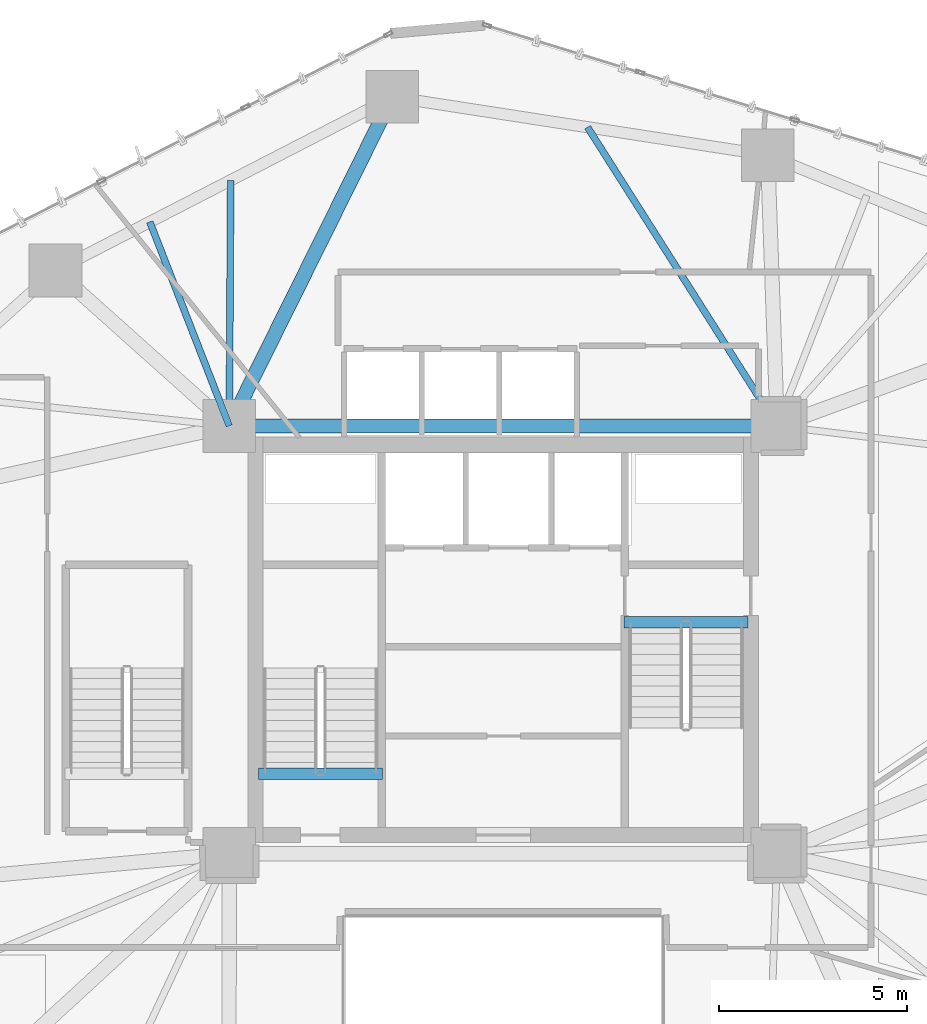
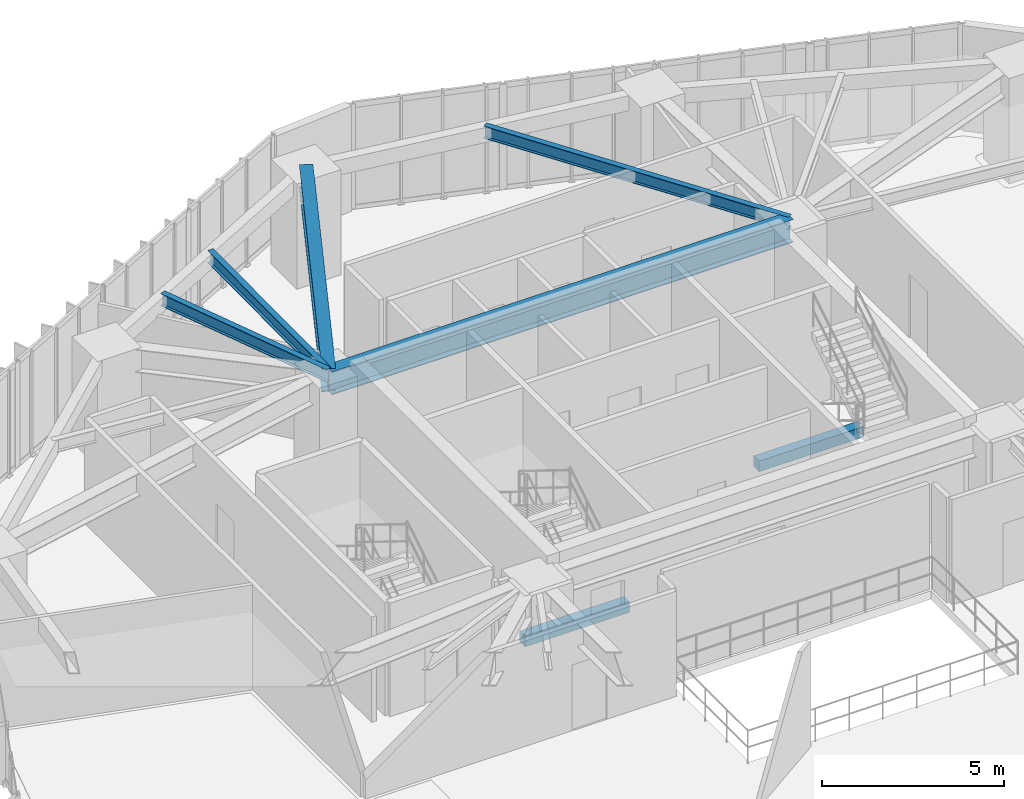
# One storey, part 9 of 24: 7 beams.
"""IFC4 building model written with IfcOpenShell, lengths in metres."""

from ifc_helpers import new_model, si_unit, direction, frame, origin, origin_2d, place, context, subcontext, project, spatial, rectangle, i_section, extrude, material, material_profile, profile_set, type_object, element, save


model = new_model("IFC4")

# Units and contexts
model_context = context("Model", 3, precision=1e-05, world=origin(), true_north=direction((0.0, 1.0)))
body_context = subcontext(model_context, "Body", "Model", "MODEL_VIEW")
ifc_project = project(units=[si_unit("LENGTHUNIT", "METRE"), si_unit("AREAUNIT", "SQUARE_METRE"), si_unit("VOLUMEUNIT", "CUBIC_METRE"), si_unit("PLANEANGLEUNIT", "RADIAN"), si_unit("MASSUNIT", "GRAM", prefix="KILO")], contexts=[model_context])

# Site, building, storey
site_placement = place(None, origin())
site = spatial("IfcSite", under=ifc_project, at=site_placement, CompositionType="ELEMENT")
building_placement = place(site_placement, origin())
building = spatial("IfcBuilding", under=site, at=building_placement, Name="Talar Marvaseh", CompositionType="ELEMENT")
storey_placement = place(building_placement, frame((0.0, 0.0, 39.199951171875)))
storey = spatial("IfcBuildingStorey", under=building, at=storey_placement, Name="L09", CompositionType="ELEMENT", Elevation=39.199951171875)

# Beams
ifc_material_1 = material(Name="Concrete C40/50", Category="concrete")
ifc_material_profile_1 = material_profile(ifc_material_1, rectangle(XDim=0.300048828125, YDim=0.360107421875, at=origin_2d()), Name="RC300x360")
ifc_profile_set_1 = profile_set([ifc_material_profile_1], Name="Concrete C40/50")
beam_type_1 = type_object("IfcBeamType", Name="Concrete Stair Landing Trimmer Beam RC300x360", PredefinedType="SPANDREL", material=ifc_profile_set_1)
for number, where, z_axis, x_axis, name in (
    (1, (22.780029296875, 27.6298828125, -0.179931640625), (-1.0, 0.0, 0.0), (0.0, -1.0, 0.0), "L09 ST-1 Stair Nosing Trimmer Beam"),
    (2, (29.219970703125, 31.669921875, -0.179931640625), (1.0, 0.0, 0.0), (0.0, 1.0, 0.0), "L09 ST-2 Stair Nosing Trimmer Beam"),
):
    element("IfcBeam", number, at=place(storey_placement, frame(where, z_axis=z_axis, x_axis=x_axis)), inside=storey, type_object=beam_type_1, Name=name, PredefinedType="SPANDREL", context=body_context, shape_type="SweptSolid", body=[
        extrude(rectangle(XDim=0.300048828125, YDim=0.360107421875, at=origin_2d()), origin(), (0.0, 0.0, 1.0), 3.300048828125),
    ])
ifc_material_2 = material(Name="Steel S355", Category="steel")
ifc_material_profile_2 = material_profile(ifc_material_2, i_section(OverallWidth=0.381103515625, OverallDepth=0.77294921875, WebThickness=0.0166015625, FlangeThickness=0.027099609375, at=origin_2d()), Name="W760x257")
ifc_profile_set_2 = profile_set([ifc_material_profile_2], Name="Steel S355")
beam_type_2 = type_object("IfcBeamType", Name="Zone 1 Radial Floor Girder W760x257", PredefinedType="BEAM", material=ifc_profile_set_2)
beam_1_placement = place(storey_placement, frame((18.699951171875, 36.89990234375, 3.133544921875), z_axis=(1.0, 0.0, 0.0), x_axis=(0.0, 1.0, 0.0)))
element("IfcBeam", 3, at=beam_1_placement, inside=storey, type_object=beam_type_2, Name="L09 Zone 1 Radial Floor Girder W760x257", PredefinedType="BEAM", context=body_context, shape_type="SweptSolid", body=[
    extrude(i_section(OverallWidth=0.381103515625, OverallDepth=0.77294921875, WebThickness=0.0166015625, FlangeThickness=0.027099609375, at=origin_2d()), origin(), (0.0, 0.0, 1.0), 14.60009765625),
])
beam_2_placement = place(storey_placement, frame((23.047119140625, 45.6669921875, 3.133544921875), z_axis=(-0.444237233911, -0.895909191831, 0.0), x_axis=(0.895909191831, -0.444237233911, 0.0)))
element("IfcBeam", 4, at=beam_2_placement, inside=storey, type_object=beam_type_2, Name="L09 Zone 1 Radial Floor Girder W760x257", PredefinedType="BEAM", context=body_context, shape_type="SweptSolid", body=[
    extrude(i_section(OverallWidth=0.381103515625, OverallDepth=0.77294921875, WebThickness=0.0166015625, FlangeThickness=0.027099609375, at=origin_2d()), origin(), (0.0, 0.0, 1.0), 9.78564453125),
])
ifc_material_profile_3 = material_profile(ifc_material_2, i_section(OverallWidth=0.179931640625, OverallDepth=0.4130859375, WebThickness=0.009765625, FlangeThickness=0.01611328125, at=origin_2d()), Name="W410x75")
ifc_profile_set_3 = profile_set([ifc_material_profile_3], Name="Steel S355")
beam_type_3 = type_object("IfcBeamType", Name="Zone 1 Secondary Floor Joist W410x75", PredefinedType="JOIST", material=ifc_profile_set_3)
beam_3_placement = place(storey_placement, frame((16.582763671875, 42.337646484375, 3.3134765625), z_axis=(0.362819746189, -0.931859341197, 0.0), x_axis=(0.931859341197, 0.362819746189, 0.0)))
element("IfcBeam", 5, at=beam_3_placement, inside=storey, type_object=beam_type_3, Name="L09 Zone 1 Secondary Floor Joist W410x75", PredefinedType="JOIST", context=body_context, shape_type="SweptSolid", body=[
    extrude(i_section(OverallWidth=0.179931640625, OverallDepth=0.4130859375, WebThickness=0.009765625, FlangeThickness=0.01611328125, at=origin_2d()), origin(), (0.0, 0.0, 1.0), 5.83544921875),
])
beam_4_placement = place(storey_placement, frame((18.737548828125, 43.447509765625, 3.3134765625), z_axis=(-0.00574210303, -0.999983513991, 0.0), x_axis=(0.999983513991, -0.00574210303, 0.0)))
element("IfcBeam", 6, at=beam_4_placement, inside=storey, type_object=beam_type_3, Name="L09 Zone 1 Secondary Floor Joist W410x75", PredefinedType="JOIST", context=body_context, shape_type="SweptSolid", body=[
    extrude(i_section(OverallWidth=0.179931640625, OverallDepth=0.4130859375, WebThickness=0.009765625, FlangeThickness=0.01611328125, at=origin_2d()), origin(), (0.0, 0.0, 1.0), 6.547607421875),
])
beam_5_placement = place(storey_placement, frame((28.24658203125, 44.861572265625, 3.3134765625), z_axis=(0.53589010079, -0.844287747083, 0.0), x_axis=(0.844287747083, 0.53589010079, 0.0)))
element("IfcBeam", 7, at=beam_5_placement, inside=storey, type_object=beam_type_3, Name="L09 Zone 1 Secondary Floor Joist W410x75", PredefinedType="JOIST", context=body_context, shape_type="SweptSolid", body=[
    extrude(i_section(OverallWidth=0.179931640625, OverallDepth=0.4130859375, WebThickness=0.009765625, FlangeThickness=0.01611328125, at=origin_2d()), origin(), (0.0, 0.0, 1.0), 9.429931640625),
])

save(model, "model.ifc")
